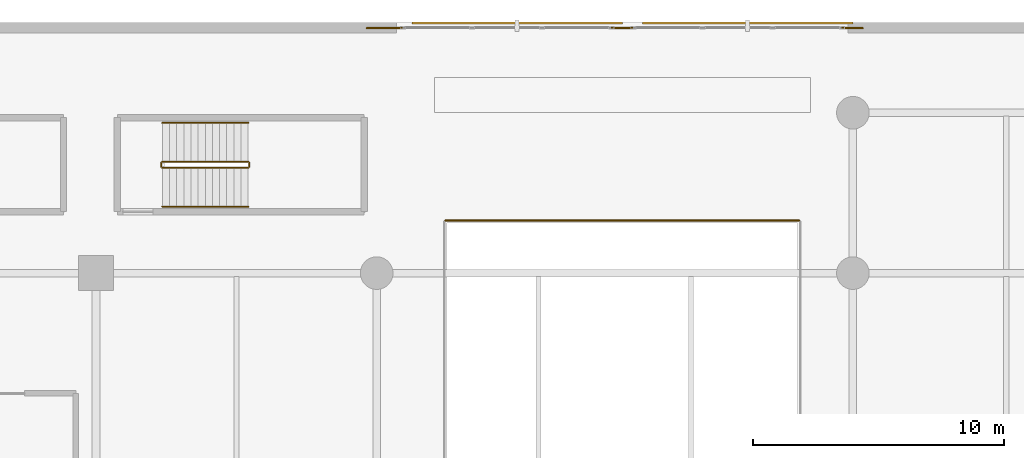
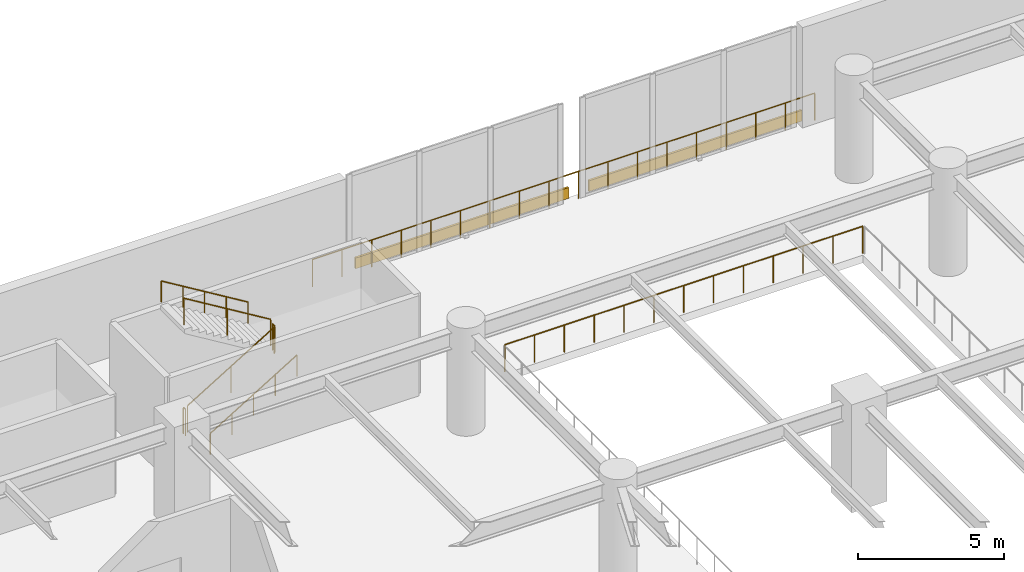
# One storey, part 32 of 32: 8 railings, 2 shading devices.
"""IFC4 building model written with IfcOpenShell, lengths in metres."""

from ifc_helpers import new_model, si_unit, direction, frame, origin, origin_2d, place, context, subcontext, project, spatial, rectangle, circle, extrude, material, layer, layer_set, type_object, element, save


model = new_model("IFC4")

# Units and contexts
model_context = context("Model", 3, precision=1e-05, world=origin(), true_north=direction((0.0, 1.0)))
body_context = subcontext(model_context, "Body", "Model", "MODEL_VIEW")
ifc_project = project(units=[si_unit("LENGTHUNIT", "METRE"), si_unit("AREAUNIT", "SQUARE_METRE"), si_unit("VOLUMEUNIT", "CUBIC_METRE"), si_unit("PLANEANGLEUNIT", "RADIAN"), si_unit("MASSUNIT", "GRAM", prefix="KILO")], contexts=[model_context])

# Site, building, storey
site_placement = place(None, origin())
site = spatial("IfcSite", under=ifc_project, at=site_placement, CompositionType="ELEMENT")
building_placement = place(site_placement, origin())
building = spatial("IfcBuilding", under=site, at=building_placement, Name="Narakoshi Arena Tower", CompositionType="ELEMENT")
storey_placement = place(building_placement, frame((0.0, 0.0, 4.5)))
storey = spatial("IfcBuildingStorey", under=building, at=storey_placement, Name="L01", CompositionType="ELEMENT", Elevation=4.5)

# Railings
ifc_material_1 = material(Name="Clear low-iron laminated structural glass", Category="glass")
railing_type_1 = type_object("IfcRailingType", Name="RL-BAL-1100", PredefinedType="BALUSTRADE", material=ifc_material_1)
railing_1_placement = place(storey_placement, frame((42.64990234375, 90.199951171875, 0.173095703125)))
element("IfcRailing", 1, at=railing_1_placement, inside=storey, type_object=railing_type_1, Name="L01 AST8 stair guard 1", PredefinedType="BALUSTRADE", context=body_context, shape_type="SweptSolid", body=[
    extrude(circle(Radius=0.02392578125, at=origin_2d()), frame((0.0, 0.0, 1.09619140625), z_axis=(0.854745945586, 0.0, 0.519046595696), x_axis=(0.0, 1.0, 0.0)), (0.0, 0.0, 1.0), 4.00146484375),
    extrude(circle(Radius=0.02099609375, at=origin_2d()), origin(), (0.0, 0.0, 1.0), 1.072021484375),
    extrude(circle(Radius=0.02099609375, at=origin_2d()), frame((1.7099609375, 0.0, 1.03857421875)), (0.0, 0.0, 1.0), 1.072021484375),
    extrude(circle(Radius=0.02099609375, at=origin_2d()), frame((3.420166015625, 0.0, 2.076904296875)), (0.0, 0.0, 1.0), 1.072021484375),
])
railing_2_placement = place(storey_placement, frame((46.1201171875, 90.25, 2.25)))
element("IfcRailing", 2, at=railing_2_placement, inside=storey, type_object=railing_type_1, Name="L01 AST8 stair guard 2", PredefinedType="BALUSTRADE", context=body_context, shape_type="SweptSolid", body=[
    extrude(circle(Radius=0.02392578125, at=origin_2d()), frame((0.0, 0.0, 1.09619140625), z_axis=(0.0, 1.0, 0.0), x_axis=(-1.0, 0.0, 0.0)), (0.0, 0.0, 1.0), 0.14990234375),
    extrude(circle(Radius=0.02099609375, at=origin_2d()), origin(), (0.0, 0.0, 1.0), 1.072021484375),
    extrude(circle(Radius=0.02099609375, at=origin_2d()), frame((0.0, 0.14990234375, 0.0)), (0.0, 0.0, 1.0), 1.072021484375),
])
railing_3_placement = place(storey_placement, frame((46.070068359375, 90.449951171875, 2.423095703125)))
element("IfcRailing", 3, at=railing_3_placement, inside=storey, type_object=railing_type_1, Name="L01 AST8 stair guard 3", PredefinedType="BALUSTRADE", context=body_context, shape_type="SweptSolid", body=[
    extrude(circle(Radius=0.02392578125, at=origin_2d()), frame((0.0, 0.0, 1.09619140625), z_axis=(-0.854745945586, 0.0, 0.519046595696), x_axis=(0.0, -1.0, 0.0)), (0.0, 0.0, 1.0), 4.00146484375),
    extrude(circle(Radius=0.02099609375, at=origin_2d()), origin(), (0.0, 0.0, 1.0), 1.072021484375),
    extrude(circle(Radius=0.02099609375, at=origin_2d()), frame((-1.7099609375, 0.0, 1.03857421875)), (0.0, 0.0, 1.0), 1.072021484375),
    extrude(circle(Radius=0.02099609375, at=origin_2d()), frame((-3.420166015625, 0.0, 2.076904296875)), (0.0, 0.0, 1.0), 1.072021484375),
])
railing_4_placement = place(storey_placement, frame((42.60009765625, 90.25, 0.0)))
element("IfcRailing", 4, at=railing_4_placement, inside=storey, type_object=railing_type_1, Name="L01 AST8 stair guard 4", PredefinedType="BALUSTRADE", context=body_context, shape_type="SweptSolid", body=[
    extrude(circle(Radius=0.02392578125, at=origin_2d()), frame((0.0, 0.0, 1.09619140625), z_axis=(0.0, 1.0, 0.0), x_axis=(-1.0, 0.0, 0.0)), (0.0, 0.0, 1.0), 0.14990234375),
    extrude(circle(Radius=0.02099609375, at=origin_2d()), origin(), (0.0, 0.0, 1.0), 1.072021484375),
    extrude(circle(Radius=0.02099609375, at=origin_2d()), frame((0.0, 0.14990234375, 0.0)), (0.0, 0.0, 1.0), 1.072021484375),
])
ifc_material_2 = material(Name="Brushed bronze stainless steel", Category="steel")
railing_type_2 = type_object("IfcRailingType", Name="RL-GRD-1150", PredefinedType="GUARDRAIL", material=ifc_material_2)
railing_5_placement = place(storey_placement, frame((50.800048828125, 95.780029296875, 0.0)))
element("IfcRailing", 5, at=railing_5_placement, inside=storey, type_object=railing_type_2, Name="L01 Concourse Portal Sill Guardrail PN", PredefinedType="GUARDRAIL", context=body_context, shape_type="SweptSolid", body=[
    extrude(circle(Radius=0.02392578125, at=origin_2d()), frame((0.0, 0.0, 1.1259765625), z_axis=(1.0, 0.0, 0.0), x_axis=(0.0, 1.0, 0.0)), (0.0, 0.0, 1.0), 19.800048828125),
    extrude(circle(Radius=0.02099609375, at=origin_2d()), origin(), (0.0, 0.0, 1.0), 1.101806640625),
    extrude(circle(Radius=0.02099609375, at=origin_2d()), frame((1.164794921875, 0.0, 0.0)), (0.0, 0.0, 1.0), 1.101806640625),
    extrude(circle(Radius=0.02099609375, at=origin_2d()), frame((2.329345703125, 0.0, 0.0)), (0.0, 0.0, 1.0), 1.101806640625),
    extrude(circle(Radius=0.02099609375, at=origin_2d()), frame((3.494140625, 0.0, 0.0)), (0.0, 0.0, 1.0), 1.101806640625),
    extrude(circle(Radius=0.02099609375, at=origin_2d()), frame((4.658935546875, 0.0, 0.0)), (0.0, 0.0, 1.0), 1.101806640625),
    extrude(circle(Radius=0.02099609375, at=origin_2d()), frame((5.823486328125, 0.0, 0.0)), (0.0, 0.0, 1.0), 1.101806640625),
    extrude(circle(Radius=0.02099609375, at=origin_2d()), frame((6.98828125, 0.0, 0.0)), (0.0, 0.0, 1.0), 1.101806640625),
    extrude(circle(Radius=0.02099609375, at=origin_2d()), frame((8.153076171875, 0.0, 0.0)), (0.0, 0.0, 1.0), 1.101806640625),
    extrude(circle(Radius=0.02099609375, at=origin_2d()), frame((9.317626953125, 0.0, 0.0)), (0.0, 0.0, 1.0), 1.101806640625),
    extrude(circle(Radius=0.02099609375, at=origin_2d()), frame((10.482421875, 0.0, 0.0)), (0.0, 0.0, 1.0), 1.101806640625),
    extrude(circle(Radius=0.02099609375, at=origin_2d()), frame((11.64697265625, 0.0, 0.0)), (0.0, 0.0, 1.0), 1.101806640625),
    extrude(circle(Radius=0.02099609375, at=origin_2d()), frame((12.811767578125, 0.0, 0.0)), (0.0, 0.0, 1.0), 1.101806640625),
    extrude(circle(Radius=0.02099609375, at=origin_2d()), frame((13.9765625, 0.0, 0.0)), (0.0, 0.0, 1.0), 1.101806640625),
    extrude(circle(Radius=0.02099609375, at=origin_2d()), frame((15.14111328125, 0.0, 0.0)), (0.0, 0.0, 1.0), 1.101806640625),
    extrude(circle(Radius=0.02099609375, at=origin_2d()), frame((16.305908203125, 0.0, 0.0)), (0.0, 0.0, 1.0), 1.101806640625),
    extrude(circle(Radius=0.02099609375, at=origin_2d()), frame((17.470703125, 0.0, 0.0)), (0.0, 0.0, 1.0), 1.101806640625),
    extrude(circle(Radius=0.02099609375, at=origin_2d()), frame((18.63525390625, 0.0, 0.0)), (0.0, 0.0, 1.0), 1.101806640625),
    extrude(circle(Radius=0.02099609375, at=origin_2d()), frame((19.800048828125, 0.0, 0.0)), (0.0, 0.0, 1.0), 1.101806640625),
])
railing_6_placement = place(storey_placement, frame((68.06005859375, 88.10009765625, 0.0)))
element("IfcRailing", 6, at=railing_6_placement, inside=storey, type_object=railing_type_2, Name="L01 Upper Street Concourse Gallery Void Guardrail 3", PredefinedType="GUARDRAIL", context=body_context, shape_type="SweptSolid", body=[
    extrude(circle(Radius=0.02392578125, at=origin_2d()), frame((0.0, 0.0, 1.1259765625), z_axis=(-1.0, 0.0, 0.0), x_axis=(0.0, -1.0, 0.0)), (0.0, 0.0, 1.0), 14.1201171875),
    extrude(circle(Radius=0.02099609375, at=origin_2d()), origin(), (0.0, 0.0, 1.0), 1.101806640625),
    extrude(circle(Radius=0.02099609375, at=origin_2d()), frame((-1.1767578125, 0.0, 0.0)), (0.0, 0.0, 1.0), 1.101806640625),
    extrude(circle(Radius=0.02099609375, at=origin_2d()), frame((-2.353271484375, 0.0, 0.0)), (0.0, 0.0, 1.0), 1.101806640625),
    extrude(circle(Radius=0.02099609375, at=origin_2d()), frame((-3.530029296875, 0.0, 0.0)), (0.0, 0.0, 1.0), 1.101806640625),
    extrude(circle(Radius=0.02099609375, at=origin_2d()), frame((-4.706787109375, 0.0, 0.0)), (0.0, 0.0, 1.0), 1.101806640625),
    extrude(circle(Radius=0.02099609375, at=origin_2d()), frame((-5.88330078125, 0.0, 0.0)), (0.0, 0.0, 1.0), 1.101806640625),
    extrude(circle(Radius=0.02099609375, at=origin_2d()), frame((-7.06005859375, 0.0, 0.0)), (0.0, 0.0, 1.0), 1.101806640625),
    extrude(circle(Radius=0.02099609375, at=origin_2d()), frame((-8.23681640625, 0.0, 0.0)), (0.0, 0.0, 1.0), 1.101806640625),
    extrude(circle(Radius=0.02099609375, at=origin_2d()), frame((-9.413330078125, 0.0, 0.0)), (0.0, 0.0, 1.0), 1.101806640625),
    extrude(circle(Radius=0.02099609375, at=origin_2d()), frame((-10.590087890625, 0.0, 0.0)), (0.0, 0.0, 1.0), 1.101806640625),
    extrude(circle(Radius=0.02099609375, at=origin_2d()), frame((-11.766845703125, 0.0, 0.0)), (0.0, 0.0, 1.0), 1.101806640625),
    extrude(circle(Radius=0.02099609375, at=origin_2d()), frame((-12.943359375, 0.0, 0.0)), (0.0, 0.0, 1.0), 1.101806640625),
    extrude(circle(Radius=0.02099609375, at=origin_2d()), frame((-14.1201171875, 0.0, 0.0)), (0.0, 0.0, 1.0), 1.101806640625),
])
railing_type_3 = type_object("IfcRailingType", Name="RL-HND-900", PredefinedType="HANDRAIL", material=ifc_material_2)
railing_7_placement = place(storey_placement, frame((42.64990234375, 88.64990234375, 0.173095703125)))
element("IfcRailing", 7, at=railing_7_placement, inside=storey, type_object=railing_type_3, Name="L01 AST8 stair handrail 1", PredefinedType="HANDRAIL", context=body_context, shape_type="SweptSolid", body=[
    extrude(circle(Radius=0.02392578125, at=origin_2d()), frame((0.0, 0.0, 0.8759765625), z_axis=(0.854745945586, 0.0, 0.519046595696), x_axis=(0.0, 1.0, 0.0)), (0.0, 0.0, 1.0), 4.00146484375),
    extrude(circle(Radius=0.02099609375, at=origin_2d()), origin(), (0.0, 0.0, 1.0), 0.851806640625),
    extrude(circle(Radius=0.02099609375, at=origin_2d()), frame((0.85498046875, 0.0, 0.519287109375)), (0.0, 0.0, 1.0), 0.851806640625),
    extrude(circle(Radius=0.02099609375, at=origin_2d()), frame((1.7099609375, 0.0, 1.03857421875)), (0.0, 0.0, 1.0), 0.851806640625),
    extrude(circle(Radius=0.02099609375, at=origin_2d()), frame((2.565185546875, 0.0, 1.5576171875)), (0.0, 0.0, 1.0), 0.851806640625),
    extrude(circle(Radius=0.02099609375, at=origin_2d()), frame((3.420166015625, 0.0, 2.076904296875)), (0.0, 0.0, 1.0), 0.851806640625),
])
railing_8_placement = place(storey_placement, frame((46.070068359375, 92.0, 2.423095703125)))
element("IfcRailing", 8, at=railing_8_placement, inside=storey, type_object=railing_type_3, Name="L01 AST8 stair handrail 2", PredefinedType="HANDRAIL", context=body_context, shape_type="SweptSolid", body=[
    extrude(circle(Radius=0.02392578125, at=origin_2d()), frame((0.0, 0.0, 0.8759765625), z_axis=(-0.854745945586, 0.0, 0.519046595696), x_axis=(0.0, -1.0, 0.0)), (0.0, 0.0, 1.0), 4.00146484375),
    extrude(circle(Radius=0.02099609375, at=origin_2d()), origin(), (0.0, 0.0, 1.0), 0.851806640625),
    extrude(circle(Radius=0.02099609375, at=origin_2d()), frame((-0.85498046875, 0.0, 0.519287109375)), (0.0, 0.0, 1.0), 0.851806640625),
    extrude(circle(Radius=0.02099609375, at=origin_2d()), frame((-1.7099609375, 0.0, 1.03857421875)), (0.0, 0.0, 1.0), 0.851806640625),
    extrude(circle(Radius=0.02099609375, at=origin_2d()), frame((-2.565185546875, 0.0, 1.5576171875)), (0.0, 0.0, 1.0), 0.851806640625),
    extrude(circle(Radius=0.02099609375, at=origin_2d()), frame((-3.420166015625, 0.0, 2.076904296875)), (0.0, 0.0, 1.0), 0.851806640625),
])

# Shading devices
ifc_material_3 = material(Name="Anodised bronze aluminium 6063-T6", Category="aluminium")
ifc_layer = layer(ifc_material_3, 0.080078125)
ifc_layer_set = layer_set([ifc_layer], Name="Anodised bronze aluminium 6063-T6")
shading_device_type = type_object("IfcShadingDeviceType", Name="SHD-SUN-CONC", PredefinedType="SHUTTER", material=ifc_layer_set)
for number, where, z_axis, x_axis, name in (
    (9, (66.0, 95.989990234375, 0.0), (0.0, 0.0, 1.0), (-1.0, 0.0, 0.0), "L01 Concourse Horizontal Sunshade CN1"),
    (10, (56.800048828125, 95.989990234375, 0.0), (0.0, 0.0, 1.0), (-1.0, 0.0, 0.0), "L01 Concourse Horizontal Sunshade CN2"),
):
    element("IfcShadingDevice", number, at=place(storey_placement, frame(where, z_axis=z_axis, x_axis=x_axis)), inside=storey, type_object=shading_device_type, Name=name, PredefinedType="SHUTTER", context=body_context, shape_type="SweptSolid", body=[
        extrude(rectangle(XDim=8.39990234375, YDim=0.080078125, at=origin_2d()), origin(), (0.0, 0.0, 1.0), 0.449951171875),
    ])

save(model, "model.ifc")
